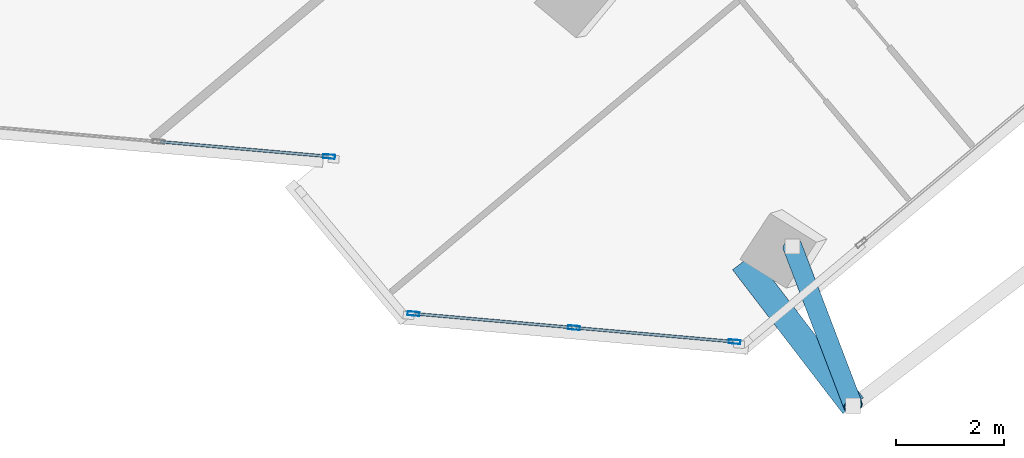
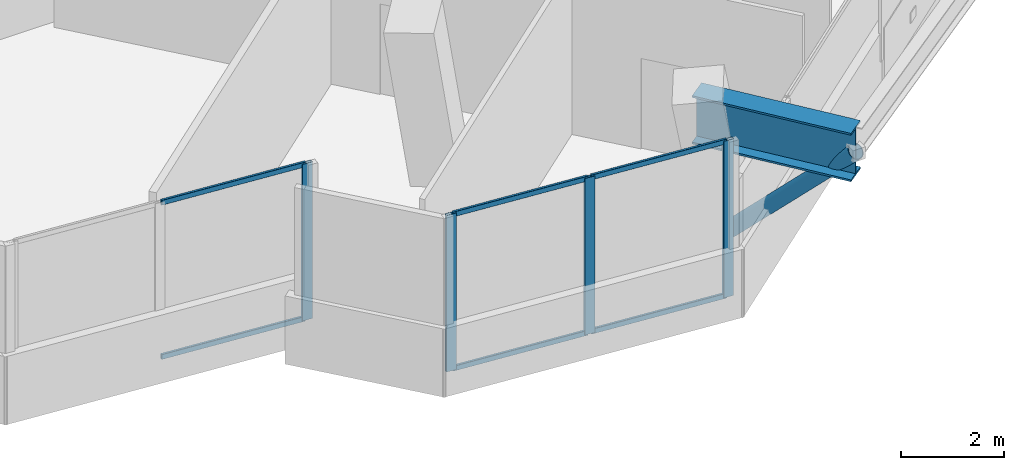
# One storey, part 3 of 17: 11 members, 1 beam, 2 elements without a shape of their own.
"""IFC4 building model written with IfcOpenShell, lengths in metres."""

import ifcopenshell
import ifcopenshell.guid

model = None  # the IFC model being written
_history = None  # IfcOwnerHistory: only IFC2X3 demands one
_inside = {}  # id of a spatial element -> (the spatial element, [elements in it])
_under = {}  # id of a project, library or spatial element -> (it, [spatial elements below it])
_declared = {}  # id of a project -> (the project, [libraries it declares])
_typed = {}  # id of a type object -> (the type object, [elements of that type])
_made_of = {}  # id of a material, layer set ... -> (it, [elements and type objects made of it])


def new_model(schema):
    """Start an empty IFC model of exactly this schema.

    Asked for "IFC4X3", IfcOpenShell would pick the latest addendum, in which some entities
    have other attributes; the version numbers below select the first issue.
    IFC2X3 requires an IfcOwnerHistory on every rooted entity: one is made here for all.
    """
    global model, _history
    if schema == "IFC4X3":
        model = ifcopenshell.file(schema_version=(4, 3, 0, 0))
    else:
        model = ifcopenshell.file(schema=schema)
    _inside.clear()
    _under.clear()
    _declared.clear()
    _typed.clear()
    _made_of.clear()
    _history = None
    if model.schema == "IFC2X3":
        org = make("IfcOrganization", Name="unknown")
        user = make(
            "IfcPersonAndOrganization",
            ThePerson=make("IfcPerson", FamilyName="unknown"),
            TheOrganization=org,
        )
        app = make(
            "IfcApplication",
            ApplicationDeveloper=org,
            Version="unknown",
            ApplicationFullName="unknown",
            ApplicationIdentifier="unknown",
        )
        _history = make(
            "IfcOwnerHistory",
            OwningUser=user,
            OwningApplication=app,
            ChangeAction="ADDED",
            CreationDate=0,
        )
    return model


def make(cls, **values):
    """One entity of the class cls with the attributes given. An attribute that is None is left unset."""
    return model.create_entity(
        cls, **{name: value for name, value in values.items() if value is not None}
    )


def rooted(cls, **values):
    """An entity with a GlobalId (a new one), such as an element, a storey or a relation."""
    return make(cls, GlobalId=ifcopenshell.guid.new(), OwnerHistory=_history, **values)


def si_unit(unit_type, name, prefix=None):
    """IfcSIUnit, for example si_unit("LENGTHUNIT", "METRE", prefix="MILLI")."""
    return make("IfcSIUnit", UnitType=unit_type, Prefix=prefix, Name=name)


def assignment(units):
    """IfcUnitAssignment: the units of a project."""
    return None if units is None else make("IfcUnitAssignment", Units=units)


def point(xyz):
    """IfcCartesianPoint."""
    return None if xyz is None else make("IfcCartesianPoint", Coordinates=xyz)


def direction(xyz):
    """IfcDirection."""
    return None if xyz is None else make("IfcDirection", DirectionRatios=xyz)


def frame(location, z_axis=None, x_axis=None):
    """IfcAxis2Placement3D, a coordinate frame: its origin and axes. An axis left out is left unset."""
    return make(
        "IfcAxis2Placement3D",
        Location=point(location),
        Axis=direction(z_axis),
        RefDirection=direction(x_axis),
    )


def frame_2d(location, x_axis=None):
    """IfcAxis2Placement2D, a coordinate frame in the plane: its origin and x axis."""
    return make(
        "IfcAxis2Placement2D", Location=point(location), RefDirection=direction(x_axis)
    )


def origin():
    """The frame at (0, 0, 0) with its axes left unset."""
    return frame((0.0, 0.0, 0.0))


def origin_2d():
    """The frame at (0, 0) in the plane with its x axis left unset."""
    return frame_2d((0.0, 0.0))


def place(relative_to, where):
    """IfcLocalPlacement: puts the frame where relative to a parent placement (None: the world)."""
    return make(
        "IfcLocalPlacement", PlacementRelTo=relative_to, RelativePlacement=where
    )


def context(
    kind, dimensions, precision=None, world=None, true_north=None, identifier=None
):
    """IfcGeometricRepresentationContext, for example the 3D "Model" context."""
    return make(
        "IfcGeometricRepresentationContext",
        ContextIdentifier=identifier,
        ContextType=kind,
        CoordinateSpaceDimension=dimensions,
        Precision=precision,
        WorldCoordinateSystem=world,
        TrueNorth=true_north,
    )


def subcontext(parent, identifier, kind, view, scale=None):
    """IfcGeometricRepresentationSubContext, for example "Body" below "Model"."""
    return make(
        "IfcGeometricRepresentationSubContext",
        ContextIdentifier=identifier,
        ContextType=kind,
        ParentContext=parent,
        TargetScale=scale,
        TargetView=view,
    )


def project(units=None, contexts=None):
    """IfcProject with its units and contexts."""
    return rooted(
        "IfcProject",
        Name="project",
        RepresentationContexts=contexts,
        UnitsInContext=assignment(units),
    )


def spatial(cls, under=None, at=None, **own):
    """A site, building, storey or space (cls), placed at a placement, below another one or the project."""
    s = rooted(cls, ObjectPlacement=at, **own)
    if under is not None:
        _under.setdefault(under.id(), (under, []))[1].append(s)
    return s


def profile(cls, at=None, kind="AREA", **sizes):
    """A parametric profile (cls). Its sizes go by their IFC names, for example OverallWidth=200.0."""
    return make(cls, ProfileType=kind, Position=at, **sizes)


def hollow_rectangle(**sizes):
    """IfcRectangleHollowProfileDef."""
    return profile("IfcRectangleHollowProfileDef", **sizes)


def hollow_circle(**sizes):
    """IfcCircleHollowProfileDef."""
    return profile("IfcCircleHollowProfileDef", **sizes)


def i_section(**sizes):
    """IfcIShapeProfileDef."""
    return profile("IfcIShapeProfileDef", **sizes)


def extrude(swept, where, along, depth):
    """IfcExtrudedAreaSolid: the profile swept, set in the frame where, extruded along a direction by depth."""
    return make(
        "IfcExtrudedAreaSolid",
        SweptArea=swept,
        Position=where,
        ExtrudedDirection=direction(along),
        Depth=depth,
    )


def shape(context_of_items, identifier, shape_type, items):
    """IfcShapeRepresentation: the items that make up one representation, for example the "Body"."""
    return make(
        "IfcShapeRepresentation",
        ContextOfItems=context_of_items,
        RepresentationIdentifier=identifier,
        RepresentationType=shape_type,
        Items=items,
    )


def source(mapping_origin, context_of_items, identifier, shape_type, items):
    """IfcRepresentationMap: a shape defined once, which mapped items show again and again."""
    return make(
        "IfcRepresentationMap",
        MappingOrigin=mapping_origin,
        MappedRepresentation=shape(context_of_items, identifier, shape_type, items),
    )


def transform(
    local_origin,
    x_axis=None,
    y_axis=None,
    z_axis=None,
    scale=None,
    scale2=None,
    scale3=None,
    uniform=True,
):
    """IfcCartesianTransformationOperator3D, or its non-uniform kind. x_axis, y_axis, z_axis: its Axis1, 2, 3."""
    if uniform:
        return make(
            "IfcCartesianTransformationOperator3D",
            Axis1=direction(x_axis),
            Axis2=direction(y_axis),
            LocalOrigin=point(local_origin),
            Scale=scale,
            Axis3=direction(z_axis),
        )
    return make(
        "IfcCartesianTransformationOperator3DnonUniform",
        Axis1=direction(x_axis),
        Axis2=direction(y_axis),
        LocalOrigin=point(local_origin),
        Scale=scale,
        Axis3=direction(z_axis),
        Scale2=scale2,
        Scale3=scale3,
    )


def mapped(mapping_source, mapping_target):
    """IfcMappedItem: shows the shape of a source again, moved by a transform."""
    return make(
        "IfcMappedItem", MappingSource=mapping_source, MappingTarget=mapping_target
    )


def material(Name=None, Category=None):
    """IfcMaterial."""
    return make("IfcMaterial", Name=Name, Category=Category)


def material_profile(
    of_material, cross_section, Name=None, Category=None, Priority=None
):
    """IfcMaterialProfile: a cross section and its material."""
    return make(
        "IfcMaterialProfile",
        Name=Name,
        Material=of_material,
        Profile=cross_section,
        Priority=Priority,
        Category=Category,
    )


def profile_set(profiles, Name=None, composite=None):
    """IfcMaterialProfileSet."""
    return make(
        "IfcMaterialProfileSet",
        Name=Name,
        MaterialProfiles=profiles,
        CompositeProfile=composite,
    )


def made_of(thing, what):
    """Note that an element or type object is made of a material, layer set ...; save() writes the relation."""
    if what is not None:
        _made_of.setdefault(what.id(), (what, []))[1].append(thing)
    return thing


def type_object(cls, material=None, **own):
    """A type object (cls), such as IfcWallType, which elements share."""
    return made_of(rooted(cls, **own), material)


def element(
    cls,
    number,
    at=None,
    inside=None,
    cuts=None,
    type_object=None,
    material=None,
    context=None,
    identifier="Body",
    shape_type=None,
    held_by="IfcProductDefinitionShape",
    body=None,
    shapes=None,
    **own,
):
    """One element of the class cls, such as IfcWall. Its Tag is "e" and its number.

    at: its placement. inside: the storey or other place that contains it. cuts: it is an
    opening in that element (IfcRelVoidsElement). A single representation is given by context,
    identifier, shape_type and body (its items); several are given by shapes. held_by: the class
    of the entity that holds the representations. save() writes the other relations.
    """
    e = rooted(cls, Tag="e%d" % number, ObjectPlacement=at, **own)
    if body is not None:
        shapes = [shape(context, identifier, shape_type, body)]
    if shapes is not None:
        e.Representation = make(held_by, Representations=shapes)
    if inside is not None:
        _inside.setdefault(inside.id(), (inside, []))[1].append(e)
    if cuts is not None:
        rooted(
            "IfcRelVoidsElement", RelatingBuildingElement=cuts, RelatedOpeningElement=e
        )
    if type_object is not None:
        _typed.setdefault(type_object.id(), (type_object, []))[1].append(e)
    return made_of(e, material)


def aggregate(whole, parts):
    """IfcRelAggregates: a whole, such as a stair, and the parts it consists of."""
    return rooted("IfcRelAggregates", RelatingObject=whole, RelatedObjects=parts)


def save(model, path):
    """Write the relations noted so far, then the file.

    IfcRelAggregates (storeys below a building ...), IfcRelContainedInSpatialStructure (elements
    in a storey), IfcRelDefinesByType, IfcRelAssociatesMaterial and IfcRelDeclares: one each for
    every whole, place, type object, material and project.
    """
    for whole, parts in _under.values():
        aggregate(whole, parts)
    for where, things in _inside.values():
        rooted(
            "IfcRelContainedInSpatialStructure",
            RelatedElements=things,
            RelatingStructure=where,
        )
    for kind, things in _typed.values():
        rooted("IfcRelDefinesByType", RelatedObjects=things, RelatingType=kind)
    for what, things in _made_of.values():
        rooted("IfcRelAssociatesMaterial", RelatedObjects=things, RelatingMaterial=what)
    for by, libraries in _declared.values():
        rooted("IfcRelDeclares", RelatingContext=by, RelatedDefinitions=libraries)
    model.write(path)


model = new_model("IFC4")

# Units and contexts
model_context = context("Model", 3, precision=1e-05, world=origin(), true_north=direction((0.0, 1.0)))
body_context = subcontext(model_context, "Body", "Model", "MODEL_VIEW")
ifc_project = project(units=[si_unit("LENGTHUNIT", "METRE"), si_unit("AREAUNIT", "SQUARE_METRE"), si_unit("VOLUMEUNIT", "CUBIC_METRE"), si_unit("PLANEANGLEUNIT", "RADIAN"), si_unit("MASSUNIT", "GRAM", prefix="KILO")], contexts=[model_context])

# Site, building, storey
site_placement = place(None, origin())
site = spatial("IfcSite", under=ifc_project, at=site_placement, CompositionType="ELEMENT")
building_placement = place(site_placement, origin())
building = spatial("IfcBuilding", under=site, at=building_placement, Name="Torre Montelarca", CompositionType="ELEMENT")
storey_placement = place(building_placement, frame((0.0, 0.0, 275.199951171875)))
storey = spatial("IfcBuildingStorey", under=building, at=storey_placement, Name="L62", CompositionType="ELEMENT", Elevation=275.199951171875)

# Member
ifc_material_1 = material(Name="Steel ASTM A500 Grade C", Category="steel")
ifc_material_profile_1 = material_profile(ifc_material_1, hollow_circle(Radius=0.177734375, WallThickness=0.015869140625, at=origin_2d()), Name="HSS355.6X15.9", Category="steel")
ifc_profile_set_1 = profile_set([ifc_material_profile_1], Name="Steel ASTM A500 Grade C")
member_type_1 = type_object("IfcMemberType", Name="MB-BR-CHS356-EXT", PredefinedType="BRACE", material=ifc_profile_set_1)
shared_shape_1 = source(origin(), body_context, "Body", "SweptSolid", [
    extrude(hollow_circle(Radius=0.177734375, WallThickness=0.015869140625, at=origin_2d()), origin(), (0.0, 0.0, 1.0), 4.516845703125),
])
member_1_placement = place(storey_placement, frame((28.548828125, 11.15380859375, 0.150146484375), z_axis=(0.248694783471, -0.652087343577, 0.716193410344), x_axis=(0.934353933954, 0.35634635694, 0.0)))
element("IfcMember", 1, at=member_1_placement, inside=storey, type_object=member_type_1, Name="L63 Sliding Tray Exterior Diagonal Raker Strut E1", PredefinedType="BRACE", context=body_context, shape_type="MappedRepresentation", body=[
    mapped(shared_shape_1, transform((0.0, 0.0, 0.0), scale=1.0)),
])

# Beam
ifc_material_2 = material(Name="Steel ASTM A572 Grade 50", Category="steel")
ifc_material_profile_2 = material_profile(ifc_material_2, i_section(OverallWidth=0.47998046875, OverallDepth=1.14990234375, WebThickness=0.02197265625, FlangeThickness=0.044921875, at=origin_2d()), Name="PG1150X480X22X45", Category="steel")
ifc_profile_set_2 = profile_set([ifc_material_profile_2], Name="Steel ASTM A572 Grade 50")
beam_type = type_object("IfcBeamType", Name="BM-CG-PG1400-EXT", PredefinedType="USERDEFINED", material=ifc_profile_set_2)
shared_shape_2 = source(origin(), body_context, "Body", "SweptSolid", [
    extrude(i_section(OverallWidth=0.47998046875, OverallDepth=1.14990234375, WebThickness=0.02197265625, FlangeThickness=0.044921875, at=origin_2d()), origin(), (0.0, 0.0, 1.0), 3.349853515625),
])
beam_placement = place(storey_placement, frame((27.6328125, 10.8662109375, 3.385009765625), z_axis=(0.608755851541, -0.793357620002, 0.0), x_axis=(0.793357620002, 0.608755851541, 0.0)))
element("IfcBeam", 2, at=beam_placement, inside=storey, type_object=beam_type, Name="L62 Sliding Tray Cantilever Girder East Y=24m (FLR)", ObjectType="CANTILEVER GIRDER", PredefinedType="USERDEFINED", context=body_context, shape_type="MappedRepresentation", body=[
    mapped(shared_shape_2, transform((0.0, 0.0, 0.0), scale=1.0)),
])

# Curtain wall, members
ifc_material_3 = material(Name="Insulated low-E laminated glass", Category="glass")
curtain_wall_type = type_object("IfcCurtainWallType", Name="CW-SYS-Z3", PredefinedType="USERDEFINED", material=ifc_material_3)
curtain_wall_1_placement = place(storey_placement, origin())
curtain_wall_1 = element("IfcCurtainWall", 3, at=curtain_wall_1_placement, inside=storey, type_object=curtain_wall_type, Name="L62 Curtain Wall Run CW-T3-L62-E02-B1", ObjectType="UNITISED GLAZING", PredefinedType="USERDEFINED")
ifc_material_4 = material(Name="Anodised aluminium AA 6063-T6", Category="aluminium")
ifc_material_profile_3 = material_profile(ifc_material_4, hollow_rectangle(XDim=0.054931640625, YDim=0.1201171875, WallThickness=0.00341796875, InnerFilletRadius=0.00341796875, OuterFilletRadius=0.007080078125, at=origin_2d()), Name="ALU55X120X3.5", Category="aluminium")
ifc_profile_set_3 = profile_set([ifc_material_profile_3], Name="Anodised aluminium AA 6063-T6")
member_type_2 = type_object("IfcMemberType", Name="CWT-ALU120", PredefinedType="USERDEFINED", material=ifc_profile_set_3)
shared_shape_3 = source(origin(), body_context, "Body", "SweptSolid", [
    extrude(hollow_rectangle(XDim=0.054931640625, YDim=0.1201171875, WallThickness=0.00341796875, InnerFilletRadius=0.00341796875, OuterFilletRadius=0.007080078125, at=origin_2d()), origin(), (0.0, 0.0, 1.0), 3.08740234375),
])
member_2_placement = place(storey_placement, frame((16.873291015625, 13.086669921875, 0.027587890625), z_axis=(0.996189081196, -0.087219920349, 0.0), x_axis=(0.087219920349, 0.996189081196, 0.0)))
member_2 = element("IfcMember", 4, at=member_2_placement, type_object=member_type_2, Name="CW transom 2.1", ObjectType="TRANSOM", PredefinedType="USERDEFINED", context=body_context, shape_type="MappedRepresentation", body=[
    mapped(shared_shape_3, transform((0.0, 0.0, 0.0), scale=1.0)),
])
member_3_placement = place(storey_placement, frame((16.873291015625, 13.086669921875, 3.692626953125), z_axis=(0.996189081196, -0.087219920349, 0.0), x_axis=(0.087219920349, 0.996189081196, 0.0)))
member_3 = element("IfcMember", 5, at=member_3_placement, type_object=member_type_2, Name="CW transom 2.2", ObjectType="TRANSOM", PredefinedType="USERDEFINED", context=body_context, shape_type="MappedRepresentation", body=[
    mapped(shared_shape_3, transform((0.0, 0.0, 0.0), scale=1.0)),
])

curtain_wall_2_placement = place(storey_placement, origin())
curtain_wall_2 = element("IfcCurtainWall", 6, at=curtain_wall_2_placement, inside=storey, type_object=curtain_wall_type, Name="L62 Curtain Wall Run CW-T3-L62-E05-B1", ObjectType="UNITISED GLAZING", PredefinedType="USERDEFINED")
shared_shape_4 = source(origin(), body_context, "Body", "SweptSolid", [
    extrude(hollow_rectangle(XDim=0.054931640625, YDim=0.1201171875, WallThickness=0.00341796875, InnerFilletRadius=0.00341796875, OuterFilletRadius=0.007080078125, at=origin_2d()), origin(), (0.0, 0.0, 1.0), 2.903564453125),
])
member_4_placement = place(storey_placement, frame((24.550537109375, 9.646728515625, 0.027587890625), z_axis=(0.996191526826, -0.087191982893, 0.0), x_axis=(0.087191982893, 0.996191526826, 0.0)))
member_4 = element("IfcMember", 7, at=member_4_placement, type_object=member_type_2, Name="CW transom 2.1", ObjectType="TRANSOM", PredefinedType="USERDEFINED", context=body_context, shape_type="MappedRepresentation", body=[
    mapped(shared_shape_4, transform((0.0, 0.0, 0.0), scale=1.0)),
])
member_5_placement = place(storey_placement, frame((24.550537109375, 9.646728515625, 3.692626953125), z_axis=(0.996191526826, -0.087191982893, 0.0), x_axis=(0.087191982893, 0.996191526826, 0.0)))
member_5 = element("IfcMember", 8, at=member_5_placement, type_object=member_type_2, Name="CW transom 2.2", ObjectType="TRANSOM", PredefinedType="USERDEFINED", context=body_context, shape_type="MappedRepresentation", body=[
    mapped(shared_shape_4, transform((0.0, 0.0, 0.0), scale=1.0)),
])
shared_shape_5 = source(origin(), body_context, "Body", "SweptSolid", [
    extrude(hollow_rectangle(XDim=0.054931640625, YDim=0.1201171875, WallThickness=0.00341796875, InnerFilletRadius=0.00341796875, OuterFilletRadius=0.007080078125, at=origin_2d()), origin(), (0.0, 0.0, 1.0), 2.9033203125),
])
member_6_placement = place(storey_placement, frame((21.58349609375, 9.90625, 0.027587890625), z_axis=(0.996190887524, -0.08719928677, 0.0), x_axis=(0.08719928677, 0.996190887524, 0.0)))
member_6 = element("IfcMember", 9, at=member_6_placement, type_object=member_type_2, Name="CW transom 1.1", ObjectType="TRANSOM", PredefinedType="USERDEFINED", context=body_context, shape_type="MappedRepresentation", body=[
    mapped(shared_shape_5, transform((0.0, 0.0, 0.0), scale=1.0)),
])
member_7_placement = place(storey_placement, frame((21.58349609375, 9.90625, 3.692626953125), z_axis=(0.996190887524, -0.08719928677, 0.0), x_axis=(0.08719928677, 0.996190887524, 0.0)))
member_7 = element("IfcMember", 10, at=member_7_placement, type_object=member_type_2, Name="CW transom 1.2", ObjectType="TRANSOM", PredefinedType="USERDEFINED", context=body_context, shape_type="MappedRepresentation", body=[
    mapped(shared_shape_5, transform((0.0, 0.0, 0.0), scale=1.0)),
])

# Member
ifc_material_profile_4 = material_profile(ifc_material_4, hollow_rectangle(XDim=0.074951171875, YDim=0.219970703125, WallThickness=0.0048828125, InnerFilletRadius=0.0048828125, OuterFilletRadius=0.010009765625, at=origin_2d()), Name="ALU75X220X5", Category="aluminium")
ifc_profile_set_4 = profile_set([ifc_material_profile_4], Name="Anodised aluminium AA 6063-T6")
member_type_3 = type_object("IfcMemberType", Name="CWM-ALU220", PredefinedType="MULLION", material=ifc_profile_set_4)
shared_shape_6 = source(origin(), body_context, "Body", "SweptSolid", [
    extrude(hollow_rectangle(XDim=0.074951171875, YDim=0.219970703125, WallThickness=0.0048828125, InnerFilletRadius=0.0048828125, OuterFilletRadius=0.010009765625, at=origin_2d()), origin(), (0.0, 0.0, 1.0), 3.719970703125),
])
member_8_placement = place(storey_placement, frame((19.986328125, 12.814208984375, 0.0), z_axis=(0.0, 0.0, 1.0), x_axis=(0.087173734413, 0.996193123861, 0.0)))
member_8 = element("IfcMember", 11, at=member_8_placement, type_object=member_type_3, Name="CW mullion 3", PredefinedType="MULLION", context=body_context, shape_type="MappedRepresentation", body=[
    mapped(shared_shape_6, transform((0.0, 0.0, 0.0), scale=1.0)),
])

aggregate(curtain_wall_1, [member_8, member_2, member_3])

member_9_placement = place(storey_placement, frame((21.546142578125, 9.909423828125, 0.0), z_axis=(0.0, 0.0, 1.0), x_axis=(0.087166127681, 0.996193789473, 0.0)))
member_9 = element("IfcMember", 12, at=member_9_placement, type_object=member_type_3, Name="CW mullion 1", PredefinedType="MULLION", context=body_context, shape_type="MappedRepresentation", body=[
    mapped(shared_shape_6, transform((0.0, 0.0, 0.0), scale=1.0)),
])

member_10_placement = place(storey_placement, frame((24.51318359375, 9.64990234375, 0.0), z_axis=(0.0, 0.0, 1.0), x_axis=(0.087166127681, 0.996193789473, 0.0)))
member_10 = element("IfcMember", 13, at=member_10_placement, type_object=member_type_3, Name="CW mullion 2", PredefinedType="MULLION", context=body_context, shape_type="MappedRepresentation", body=[
    mapped(shared_shape_6, transform((0.0, 0.0, 0.0), scale=1.0)),
])

member_11_placement = place(storey_placement, frame((27.48046875, 9.390380859375, 0.0), z_axis=(0.0, 0.0, 1.0), x_axis=(0.087166127681, 0.996193789473, 0.0)))
member_11 = element("IfcMember", 14, at=member_11_placement, type_object=member_type_3, Name="CW mullion 3", PredefinedType="MULLION", context=body_context, shape_type="MappedRepresentation", body=[
    mapped(shared_shape_6, transform((0.0, 0.0, 0.0), scale=1.0)),
])

aggregate(curtain_wall_2, [member_9, member_10, member_11, member_6, member_7, member_4, member_5])

save(model, "model.ifc")
